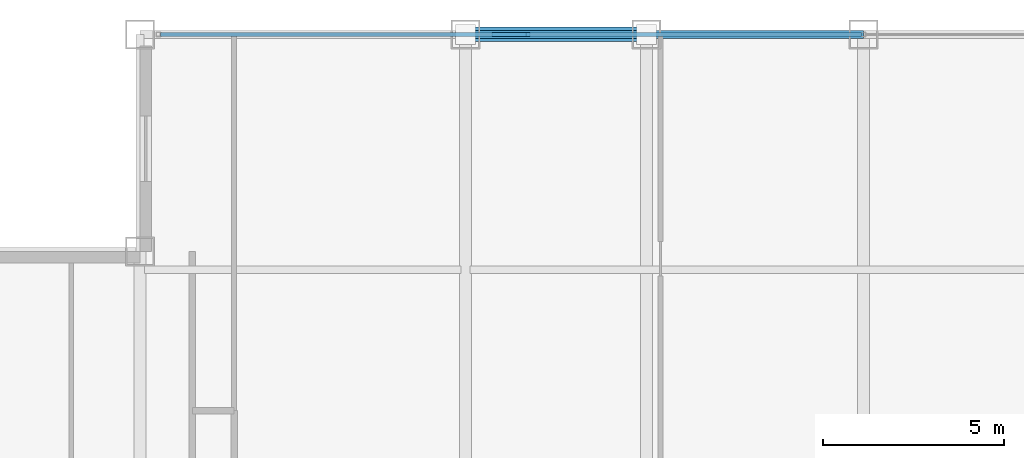
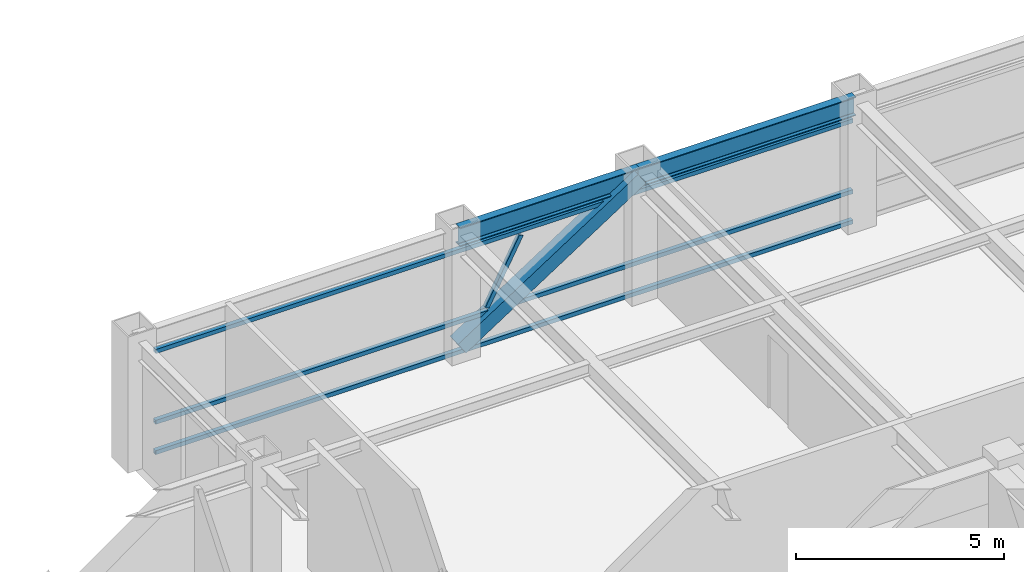
# One storey, part 17 of 28: 5 members, 2 beams, 1 element without a shape of its own.
"""IFC4 building model written with IfcOpenShell, lengths in metres."""

import ifcopenshell
import ifcopenshell.guid

model = None  # the IFC model being written
_history = None  # IfcOwnerHistory: only IFC2X3 demands one
_inside = {}  # id of a spatial element -> (the spatial element, [elements in it])
_under = {}  # id of a project, library or spatial element -> (it, [spatial elements below it])
_declared = {}  # id of a project -> (the project, [libraries it declares])
_typed = {}  # id of a type object -> (the type object, [elements of that type])
_made_of = {}  # id of a material, layer set ... -> (it, [elements and type objects made of it])


def new_model(schema):
    """Start an empty IFC model of exactly this schema.

    Asked for "IFC4X3", IfcOpenShell would pick the latest addendum, in which some entities
    have other attributes; the version numbers below select the first issue.
    IFC2X3 requires an IfcOwnerHistory on every rooted entity: one is made here for all.
    """
    global model, _history
    if schema == "IFC4X3":
        model = ifcopenshell.file(schema_version=(4, 3, 0, 0))
    else:
        model = ifcopenshell.file(schema=schema)
    _inside.clear()
    _under.clear()
    _declared.clear()
    _typed.clear()
    _made_of.clear()
    _history = None
    if model.schema == "IFC2X3":
        org = make("IfcOrganization", Name="unknown")
        user = make(
            "IfcPersonAndOrganization",
            ThePerson=make("IfcPerson", FamilyName="unknown"),
            TheOrganization=org,
        )
        app = make(
            "IfcApplication",
            ApplicationDeveloper=org,
            Version="unknown",
            ApplicationFullName="unknown",
            ApplicationIdentifier="unknown",
        )
        _history = make(
            "IfcOwnerHistory",
            OwningUser=user,
            OwningApplication=app,
            ChangeAction="ADDED",
            CreationDate=0,
        )
    return model


def make(cls, **values):
    """One entity of the class cls with the attributes given. An attribute that is None is left unset."""
    return model.create_entity(
        cls, **{name: value for name, value in values.items() if value is not None}
    )


def rooted(cls, **values):
    """An entity with a GlobalId (a new one), such as an element, a storey or a relation."""
    return make(cls, GlobalId=ifcopenshell.guid.new(), OwnerHistory=_history, **values)


def si_unit(unit_type, name, prefix=None):
    """IfcSIUnit, for example si_unit("LENGTHUNIT", "METRE", prefix="MILLI")."""
    return make("IfcSIUnit", UnitType=unit_type, Prefix=prefix, Name=name)


def assignment(units):
    """IfcUnitAssignment: the units of a project."""
    return None if units is None else make("IfcUnitAssignment", Units=units)


def point(xyz):
    """IfcCartesianPoint."""
    return None if xyz is None else make("IfcCartesianPoint", Coordinates=xyz)


def direction(xyz):
    """IfcDirection."""
    return None if xyz is None else make("IfcDirection", DirectionRatios=xyz)


def frame(location, z_axis=None, x_axis=None):
    """IfcAxis2Placement3D, a coordinate frame: its origin and axes. An axis left out is left unset."""
    return make(
        "IfcAxis2Placement3D",
        Location=point(location),
        Axis=direction(z_axis),
        RefDirection=direction(x_axis),
    )


def frame_2d(location, x_axis=None):
    """IfcAxis2Placement2D, a coordinate frame in the plane: its origin and x axis."""
    return make(
        "IfcAxis2Placement2D", Location=point(location), RefDirection=direction(x_axis)
    )


def origin():
    """The frame at (0, 0, 0) with its axes left unset."""
    return frame((0.0, 0.0, 0.0))


def origin_2d():
    """The frame at (0, 0) in the plane with its x axis left unset."""
    return frame_2d((0.0, 0.0))


def place(relative_to, where):
    """IfcLocalPlacement: puts the frame where relative to a parent placement (None: the world)."""
    return make(
        "IfcLocalPlacement", PlacementRelTo=relative_to, RelativePlacement=where
    )


def context(
    kind, dimensions, precision=None, world=None, true_north=None, identifier=None
):
    """IfcGeometricRepresentationContext, for example the 3D "Model" context."""
    return make(
        "IfcGeometricRepresentationContext",
        ContextIdentifier=identifier,
        ContextType=kind,
        CoordinateSpaceDimension=dimensions,
        Precision=precision,
        WorldCoordinateSystem=world,
        TrueNorth=true_north,
    )


def subcontext(parent, identifier, kind, view, scale=None):
    """IfcGeometricRepresentationSubContext, for example "Body" below "Model"."""
    return make(
        "IfcGeometricRepresentationSubContext",
        ContextIdentifier=identifier,
        ContextType=kind,
        ParentContext=parent,
        TargetScale=scale,
        TargetView=view,
    )


def project(units=None, contexts=None):
    """IfcProject with its units and contexts."""
    return rooted(
        "IfcProject",
        Name="project",
        RepresentationContexts=contexts,
        UnitsInContext=assignment(units),
    )


def spatial(cls, under=None, at=None, **own):
    """A site, building, storey or space (cls), placed at a placement, below another one or the project."""
    s = rooted(cls, ObjectPlacement=at, **own)
    if under is not None:
        _under.setdefault(under.id(), (under, []))[1].append(s)
    return s


def profile(cls, at=None, kind="AREA", **sizes):
    """A parametric profile (cls). Its sizes go by their IFC names, for example OverallWidth=200.0."""
    return make(cls, ProfileType=kind, Position=at, **sizes)


def hollow_rectangle(**sizes):
    """IfcRectangleHollowProfileDef."""
    return profile("IfcRectangleHollowProfileDef", **sizes)


def i_section(**sizes):
    """IfcIShapeProfileDef."""
    return profile("IfcIShapeProfileDef", **sizes)


def extrude(swept, where, along, depth):
    """IfcExtrudedAreaSolid: the profile swept, set in the frame where, extruded along a direction by depth."""
    return make(
        "IfcExtrudedAreaSolid",
        SweptArea=swept,
        Position=where,
        ExtrudedDirection=direction(along),
        Depth=depth,
    )


def shape(context_of_items, identifier, shape_type, items):
    """IfcShapeRepresentation: the items that make up one representation, for example the "Body"."""
    return make(
        "IfcShapeRepresentation",
        ContextOfItems=context_of_items,
        RepresentationIdentifier=identifier,
        RepresentationType=shape_type,
        Items=items,
    )


def source(mapping_origin, context_of_items, identifier, shape_type, items):
    """IfcRepresentationMap: a shape defined once, which mapped items show again and again."""
    return make(
        "IfcRepresentationMap",
        MappingOrigin=mapping_origin,
        MappedRepresentation=shape(context_of_items, identifier, shape_type, items),
    )


def transform(
    local_origin,
    x_axis=None,
    y_axis=None,
    z_axis=None,
    scale=None,
    scale2=None,
    scale3=None,
    uniform=True,
):
    """IfcCartesianTransformationOperator3D, or its non-uniform kind. x_axis, y_axis, z_axis: its Axis1, 2, 3."""
    if uniform:
        return make(
            "IfcCartesianTransformationOperator3D",
            Axis1=direction(x_axis),
            Axis2=direction(y_axis),
            LocalOrigin=point(local_origin),
            Scale=scale,
            Axis3=direction(z_axis),
        )
    return make(
        "IfcCartesianTransformationOperator3DnonUniform",
        Axis1=direction(x_axis),
        Axis2=direction(y_axis),
        LocalOrigin=point(local_origin),
        Scale=scale,
        Axis3=direction(z_axis),
        Scale2=scale2,
        Scale3=scale3,
    )


def mapped(mapping_source, mapping_target):
    """IfcMappedItem: shows the shape of a source again, moved by a transform."""
    return make(
        "IfcMappedItem", MappingSource=mapping_source, MappingTarget=mapping_target
    )


def material(Name=None, Category=None):
    """IfcMaterial."""
    return make("IfcMaterial", Name=Name, Category=Category)


def material_profile(
    of_material, cross_section, Name=None, Category=None, Priority=None
):
    """IfcMaterialProfile: a cross section and its material."""
    return make(
        "IfcMaterialProfile",
        Name=Name,
        Material=of_material,
        Profile=cross_section,
        Priority=Priority,
        Category=Category,
    )


def profile_set(profiles, Name=None, composite=None):
    """IfcMaterialProfileSet."""
    return make(
        "IfcMaterialProfileSet",
        Name=Name,
        MaterialProfiles=profiles,
        CompositeProfile=composite,
    )


def made_of(thing, what):
    """Note that an element or type object is made of a material, layer set ...; save() writes the relation."""
    if what is not None:
        _made_of.setdefault(what.id(), (what, []))[1].append(thing)
    return thing


def type_object(cls, material=None, **own):
    """A type object (cls), such as IfcWallType, which elements share."""
    return made_of(rooted(cls, **own), material)


def element(
    cls,
    number,
    at=None,
    inside=None,
    cuts=None,
    type_object=None,
    material=None,
    context=None,
    identifier="Body",
    shape_type=None,
    held_by="IfcProductDefinitionShape",
    body=None,
    shapes=None,
    **own,
):
    """One element of the class cls, such as IfcWall. Its Tag is "e" and its number.

    at: its placement. inside: the storey or other place that contains it. cuts: it is an
    opening in that element (IfcRelVoidsElement). A single representation is given by context,
    identifier, shape_type and body (its items); several are given by shapes. held_by: the class
    of the entity that holds the representations. save() writes the other relations.
    """
    e = rooted(cls, Tag="e%d" % number, ObjectPlacement=at, **own)
    if body is not None:
        shapes = [shape(context, identifier, shape_type, body)]
    if shapes is not None:
        e.Representation = make(held_by, Representations=shapes)
    if inside is not None:
        _inside.setdefault(inside.id(), (inside, []))[1].append(e)
    if cuts is not None:
        rooted(
            "IfcRelVoidsElement", RelatingBuildingElement=cuts, RelatedOpeningElement=e
        )
    if type_object is not None:
        _typed.setdefault(type_object.id(), (type_object, []))[1].append(e)
    return made_of(e, material)


def aggregate(whole, parts):
    """IfcRelAggregates: a whole, such as a stair, and the parts it consists of."""
    return rooted("IfcRelAggregates", RelatingObject=whole, RelatedObjects=parts)


def save(model, path):
    """Write the relations noted so far, then the file.

    IfcRelAggregates (storeys below a building ...), IfcRelContainedInSpatialStructure (elements
    in a storey), IfcRelDefinesByType, IfcRelAssociatesMaterial and IfcRelDeclares: one each for
    every whole, place, type object, material and project.
    """
    for whole, parts in _under.values():
        aggregate(whole, parts)
    for where, things in _inside.values():
        rooted(
            "IfcRelContainedInSpatialStructure",
            RelatedElements=things,
            RelatingStructure=where,
        )
    for kind, things in _typed.values():
        rooted("IfcRelDefinesByType", RelatedObjects=things, RelatingType=kind)
    for what, things in _made_of.values():
        rooted("IfcRelAssociatesMaterial", RelatedObjects=things, RelatingMaterial=what)
    for by, libraries in _declared.values():
        rooted("IfcRelDeclares", RelatingContext=by, RelatedDefinitions=libraries)
    model.write(path)


model = new_model("IFC4")

# Units and contexts
model_context = context("Model", 3, precision=1e-05, world=origin(), true_north=direction((0.0, 1.0)))
body_context = subcontext(model_context, "Body", "Model", "MODEL_VIEW")
ifc_project = project(units=[si_unit("LENGTHUNIT", "METRE"), si_unit("AREAUNIT", "SQUARE_METRE"), si_unit("VOLUMEUNIT", "CUBIC_METRE"), si_unit("PLANEANGLEUNIT", "RADIAN"), si_unit("MASSUNIT", "GRAM", prefix="KILO")], contexts=[model_context])

# Site, building, storey
site_placement = place(None, origin())
site = spatial("IfcSite", under=ifc_project, at=site_placement, CompositionType="ELEMENT")
building_placement = place(site_placement, origin())
building = spatial("IfcBuilding", under=site, at=building_placement, Name="Khorayat Bourse Tower", CompositionType="ELEMENT")
storey_placement = place(building_placement, frame((0.0, 0.0, 330.300048828125)))
storey = spatial("IfcBuildingStorey", under=building, at=storey_placement, Name="L78", CompositionType="ELEMENT", Elevation=330.300048828125)

# Beams
ifc_material_1 = material(Name="Steel ASTM A992 Grade 50", Category="steel")
ifc_material_profile_1 = material_profile(ifc_material_1, i_section(OverallWidth=0.214111328125, OverallDepth=0.549072265625, WebThickness=0.0146484375, FlangeThickness=0.023681640625, FilletRadius=0.013916015625, at=origin_2d()), Name="W530X138")
ifc_profile_set_1 = profile_set([ifc_material_profile_1], Name="Steel ASTM A992 Grade 50")
beam_type = type_object("IfcBeamType", Name="BM-SPAN-530", PredefinedType="SPANDREL", material=ifc_profile_set_1)
shared_shape_1 = source(origin(), body_context, "Body", "SweptSolid", [
    extrude(i_section(OverallWidth=0.214111328125, OverallDepth=0.549072265625, WebThickness=0.0146484375, FlangeThickness=0.023681640625, FilletRadius=0.013916015625, at=origin_2d()), origin(), (0.0, 0.0, 1.0), 5.0),
])
beam_1_placement = place(storey_placement, frame((-11.0, 26.0, 3.46533203125), z_axis=(1.0, 0.0, 0.0), x_axis=(0.0, 1.0, 0.0)))
element("IfcBeam", 1, at=beam_1_placement, inside=storey, type_object=beam_type, Name="L78 BM-SPAN-530 BM-L78-SPN-044", PredefinedType="SPANDREL", context=body_context, shape_type="MappedRepresentation", body=[
    mapped(shared_shape_1, transform((0.0, 0.0, 0.0), scale=1.0)),
])
shared_shape_2 = source(origin(), body_context, "Body", "SweptSolid", [
    extrude(i_section(OverallWidth=0.214111328125, OverallDepth=0.549072265625, WebThickness=0.0146484375, FlangeThickness=0.023681640625, FilletRadius=0.013916015625, at=origin_2d()), origin(), (0.0, 0.0, 1.0), 6.0),
])
beam_2_placement = place(storey_placement, frame((-6.0, 26.0, 3.46533203125), z_axis=(1.0, 0.0, 0.0), x_axis=(0.0, 1.0, 0.0)))
element("IfcBeam", 2, at=beam_2_placement, inside=storey, type_object=beam_type, Name="L78 BM-SPAN-530 BM-L78-SPN-043", PredefinedType="SPANDREL", context=body_context, shape_type="MappedRepresentation", body=[
    mapped(shared_shape_2, transform((0.0, 0.0, 0.0), scale=1.0)),
])

# Member
ifc_material_2 = material(Name="Steel EN 10025-4 S460M", Category="steel")
ifc_material_profile_2 = material_profile(ifc_material_2, hollow_rectangle(XDim=0.39990234375, YDim=0.39990234375, WallThickness=0.02197265625, at=origin_2d()), Name="HSS 400x400x22")
ifc_profile_set_2 = profile_set([ifc_material_profile_2], Name="Steel EN 10025-4 S460M")
member_type_1 = type_object("IfcMemberType", Name="MBR-TUBE-400", PredefinedType="BRACE", material=ifc_profile_set_2)
shared_shape_3 = source(origin(), body_context, "Body", "SweptSolid", [
    extrude(hollow_rectangle(XDim=0.39990234375, YDim=0.39990234375, WallThickness=0.02197265625, at=origin_2d()), origin(), (0.0, 0.0, 1.0), 5.9580078125),
])
member_1_placement = place(storey_placement, frame((-11.0, 26.0, 0.25), z_axis=(0.839210474455, 0.0, 0.543806748364), x_axis=(0.0, 1.0, 0.0)))
element("IfcMember", 3, at=member_1_placement, inside=storey, type_object=member_type_1, Name="L78 Perimeter Tube Brace 03", PredefinedType="BRACE", context=body_context, shape_type="MappedRepresentation", body=[
    mapped(shared_shape_3, transform((0.0, 0.0, 0.0), scale=1.0)),
])

# Curtain wall, members
ifc_material_3 = material(Name="Aluminium EN AW-6063 T6", Category="aluminium")
curtain_wall_type = type_object("IfcCurtainWallType", Name="CW-SYS-04", PredefinedType="NOTDEFINED", material=ifc_material_3)
curtain_wall_placement = place(storey_placement, origin())
curtain_wall = element("IfcCurtainWall", 4, at=curtain_wall_placement, inside=storey, type_object=curtain_wall_type, Name="L78 Curtain Wall CW-L78-N1", PredefinedType="NOTDEFINED")
ifc_material_profile_3 = material_profile(ifc_material_3, hollow_rectangle(XDim=0.1201171875, YDim=0.1201171875, WallThickness=0.0048828125, at=origin_2d()), Name="ALU 120x120x5")
ifc_profile_set_3 = profile_set([ifc_material_profile_3], Name="Aluminium EN AW-6063 T6")
member_type_2 = type_object("IfcMemberType", Name="CWM-DIAG-120", PredefinedType="MULLION", material=ifc_profile_set_3)
shared_shape_4 = source(origin(), body_context, "Body", "SweptSolid", [
    extrude(hollow_rectangle(XDim=0.1201171875, YDim=0.1201171875, WallThickness=0.0048828125, at=origin_2d()), origin(), (0.0, 0.0, 1.0), 2.0341796875),
])
member_2_placement = place(storey_placement, frame((-10.21875, 26.0, 1.08984375), z_axis=(0.465790950955, 0.0, 0.884894790361), x_axis=(0.0, 1.0, 0.0)))
member_2 = element("IfcMember", 5, at=member_2_placement, type_object=member_type_2, Name="CW-L78-N1 Faceted Diagonal Mullion 1", PredefinedType="MULLION", context=body_context, shape_type="MappedRepresentation", body=[
    mapped(shared_shape_4, transform((0.0, 0.0, 0.0), scale=1.0)),
])
ifc_material_profile_4 = material_profile(ifc_material_3, hollow_rectangle(XDim=0.1201171875, YDim=0.1201171875, WallThickness=0.0048828125, at=origin_2d()), Name="ALU 120x120x5")
ifc_profile_set_4 = profile_set([ifc_material_profile_4], Name="Aluminium EN AW-6063 T6")
member_type_3 = type_object("IfcMemberType", Name="CWT-HORZ-120", PredefinedType="USERDEFINED", material=ifc_profile_set_4)
shared_shape_5 = source(origin(), body_context, "Body", "SweptSolid", [
    extrude(hollow_rectangle(XDim=0.1201171875, YDim=0.1201171875, WallThickness=0.0048828125, at=origin_2d()), origin(), (0.0, 0.0, 1.0), 19.369873046875),
])
member_3_placement = place(storey_placement, frame((-19.429931640625, 26.0, 0.06005859375), z_axis=(1.0, 0.0, 0.0), x_axis=(0.0, 1.0, 0.0)))
member_3 = element("IfcMember", 6, at=member_3_placement, type_object=member_type_3, Name="CW-L78-N1 Horizontal Transom 1-1", ObjectType="TRANSOM", PredefinedType="USERDEFINED", context=body_context, shape_type="MappedRepresentation", body=[
    mapped(shared_shape_5, transform((0.0, 0.0, 0.0), scale=1.0)),
])
member_4_placement = place(storey_placement, frame((-19.429931640625, 26.0, 0.949951171875), z_axis=(1.0, 0.0, 0.0), x_axis=(0.0, 1.0, 0.0)))
member_4 = element("IfcMember", 7, at=member_4_placement, type_object=member_type_3, Name="CW-L78-N1 Horizontal Transom 1-2", ObjectType="TRANSOM", PredefinedType="USERDEFINED", context=body_context, shape_type="MappedRepresentation", body=[
    mapped(shared_shape_5, transform((0.0, 0.0, 0.0), scale=1.0)),
])
member_5_placement = place(storey_placement, frame((-19.429931640625, 26.0, 3.030029296875), z_axis=(1.0, 0.0, 0.0), x_axis=(0.0, 1.0, 0.0)))
member_5 = element("IfcMember", 8, at=member_5_placement, type_object=member_type_3, Name="CW-L78-N1 Horizontal Transom 1-3", ObjectType="TRANSOM", PredefinedType="USERDEFINED", context=body_context, shape_type="MappedRepresentation", body=[
    mapped(shared_shape_5, transform((0.0, 0.0, 0.0), scale=1.0)),
])
aggregate(curtain_wall, [member_3, member_4, member_5, member_2])

save(model, "model.ifc")
